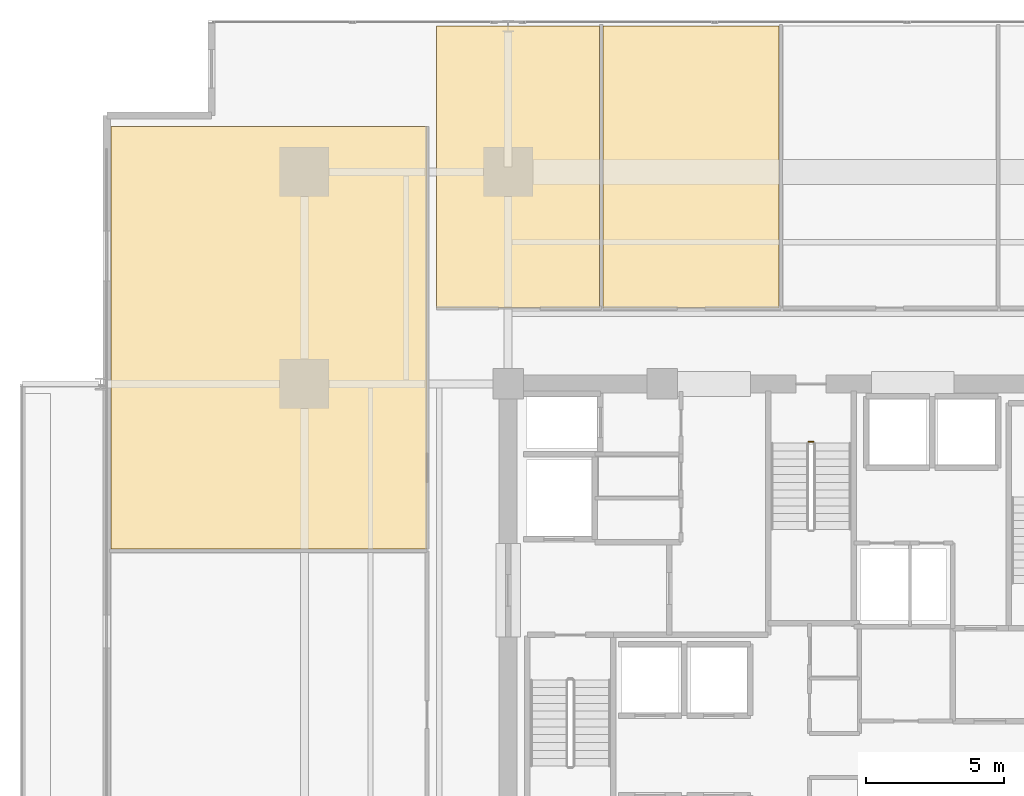
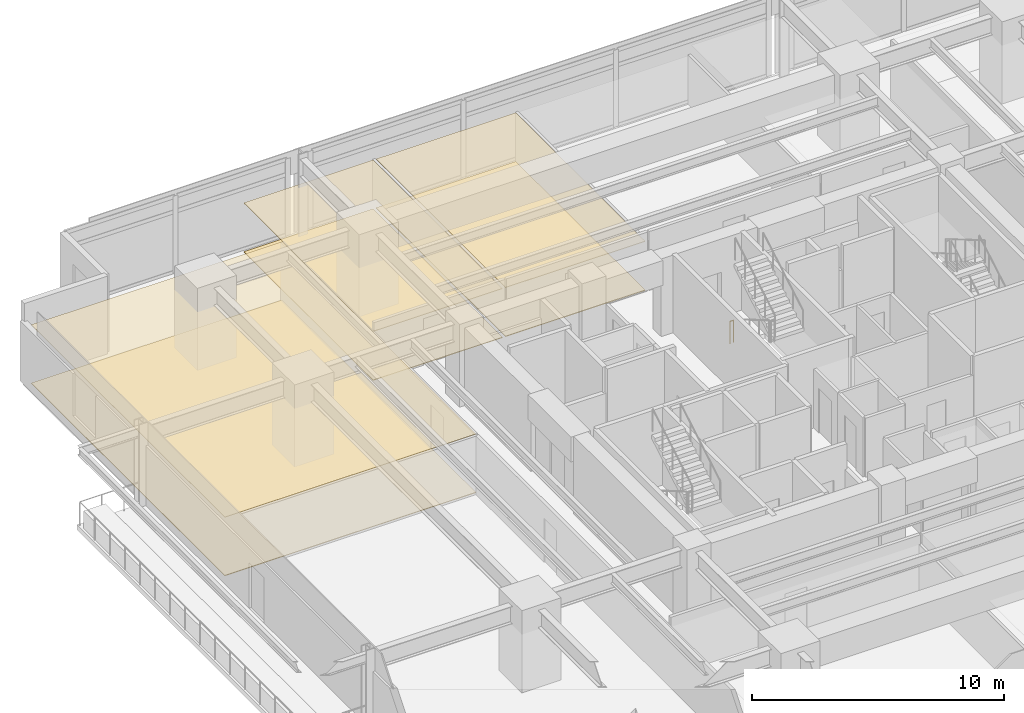
# One storey, part 21 of 22: 6 coverings, 1 railing.
"""IFC4 building model written with IfcOpenShell, lengths in metres."""

from ifc_helpers import new_model, si_unit, direction, frame, origin, origin_2d, place, context, subcontext, project, spatial, polyline, circle, outline, extrude, material, layer, layer_set, type_object, element, save


model = new_model("IFC4")

# Units and contexts
model_context = context("Model", 3, precision=1e-05, world=origin(), true_north=direction((0.0, 1.0)))
body_context = subcontext(model_context, "Body", "Model", "MODEL_VIEW")
ifc_project = project(units=[si_unit("LENGTHUNIT", "METRE"), si_unit("AREAUNIT", "SQUARE_METRE"), si_unit("VOLUMEUNIT", "CUBIC_METRE"), si_unit("PLANEANGLEUNIT", "RADIAN"), si_unit("MASSUNIT", "GRAM", prefix="KILO")], contexts=[model_context])

# Site, building, storey
site_placement = place(None, origin())
site = spatial("IfcSite", under=ifc_project, at=site_placement, CompositionType="ELEMENT")
building_placement = place(site_placement, origin())
building = spatial("IfcBuilding", under=site, at=building_placement, Name="Kovane Verandah Tower", CompositionType="ELEMENT")
storey_placement = place(building_placement, frame((0.0, 0.0, 51.60009765625)))
storey = spatial("IfcBuildingStorey", under=building, at=storey_placement, Name="L11", CompositionType="ELEMENT", Elevation=51.60009765625)

# Coverings
ifc_material_1 = material(Name="Perforated Acoustic Mineral-Fibre Ceiling Tile", Category="gypsum")
ifc_layer_1 = layer(ifc_material_1, 0.02490234375)
ifc_layer_set_1 = layer_set([ifc_layer_1], Name="Perforated Acoustic Mineral-Fibre Ceiling Tile")
covering_type_1 = type_object("IfcCoveringType", Name="CV-CEIL-25", PredefinedType="CEILING", material=ifc_layer_set_1)
covering_1_placement = place(storey_placement, frame((0.0, 0.0, 2.364990234375)))
element("IfcCovering", 1, at=covering_1_placement, inside=storey, type_object=covering_type_1, Name="L11 Client Boardroom N1 Acoustic Ceiling", PredefinedType="CEILING", context=body_context, shape_type="SweptSolid", body=[
    extrude(outline(polyline([(26.39990234375, 39.25), (32.31396484375, 39.25), (32.31396484375, 49.49609375), (26.39990234375, 49.49609375), (26.39990234375, 39.25)])), origin(), (0.0, 0.0, 1.0), 0.02490234375),
])
covering_2_placement = place(storey_placement, frame((0.0, 0.0, 2.364990234375)))
element("IfcCovering", 2, at=covering_2_placement, inside=storey, type_object=covering_type_1, Name="L11 Meeting Room N2 Acoustic Ceiling", PredefinedType="CEILING", context=body_context, shape_type="SweptSolid", body=[
    extrude(outline(polyline([(32.4541015625, 39.25), (38.842041015625, 39.25), (38.842041015625, 49.49609375), (32.4541015625, 49.49609375), (32.4541015625, 39.25)])), origin(), (0.0, 0.0, 1.0), 0.02490234375),
])
covering_3_placement = place(storey_placement, frame((0.0, 0.0, 2.824951171875)))
element("IfcCovering", 3, at=covering_3_placement, inside=storey, type_object=covering_type_1, Name="L11 Executive Office W2 Acoustic Ceiling", PredefinedType="CEILING", context=body_context, shape_type="SweptSolid", body=[
    extrude(outline(polyline([(14.569580078125, 30.50537109375), (26.050048828125, 30.50537109375), (26.050048828125, 45.84619140625), (14.569580078125, 45.84619140625), (14.569580078125, 30.50537109375)])), origin(), (0.0, 0.0, 1.0), 0.02490234375),
])
ifc_material_2 = material(Name="Polished Terrazzo and Raised-Access Carpet Tile Finish", Category="concrete")
ifc_layer_2 = layer(ifc_material_2, 0.030029296875)
ifc_layer_set_2 = layer_set([ifc_layer_2], Name="Polished Terrazzo and Raised-Access Carpet Tile Finish")
covering_type_2 = type_object("IfcCoveringType", Name="CV-FLOR-30", PredefinedType="FLOORING", material=ifc_layer_set_2)
covering_4_placement = place(storey_placement, origin())
element("IfcCovering", 4, at=covering_4_placement, inside=storey, type_object=covering_type_2, Name="L11 Client Boardroom N1 Floor Finish", PredefinedType="FLOORING", context=body_context, shape_type="SweptSolid", body=[
    extrude(outline(polyline([(26.39990234375, 39.25), (32.31396484375, 39.25), (32.31396484375, 49.49609375), (26.39990234375, 49.49609375), (26.39990234375, 39.25)])), origin(), (0.0, 0.0, 1.0), 0.02978515625),
])
covering_5_placement = place(storey_placement, origin())
element("IfcCovering", 5, at=covering_5_placement, inside=storey, type_object=covering_type_2, Name="L11 Meeting Room N2 Floor Finish", PredefinedType="FLOORING", context=body_context, shape_type="SweptSolid", body=[
    extrude(outline(polyline([(32.4541015625, 39.25), (38.842041015625, 39.25), (38.842041015625, 49.49609375), (32.4541015625, 49.49609375), (32.4541015625, 39.25)])), origin(), (0.0, 0.0, 1.0), 0.02978515625),
])
covering_6_placement = place(storey_placement, origin())
element("IfcCovering", 6, at=covering_6_placement, inside=storey, type_object=covering_type_2, Name="L11 Executive Office W2 Floor Finish", PredefinedType="FLOORING", context=body_context, shape_type="SweptSolid", body=[
    extrude(outline(polyline([(14.569580078125, 30.50537109375), (26.050048828125, 30.50537109375), (26.050048828125, 45.84619140625), (14.569580078125, 45.84619140625), (14.569580078125, 30.50537109375)])), origin(), (0.0, 0.0, 1.0), 0.02978515625),
])

# Railing
ifc_material_3 = material(Name="Painted Steel Stairwell Guardrail", Category="steel")
railing_type = type_object("IfcRailingType", Name="RL-STGUARD-1120", PredefinedType="GUARDRAIL", material=ifc_material_3)
railing_placement = place(storey_placement, frame((39.919921875, 34.39990234375, 0.0)))
element("IfcRailing", 7, at=railing_placement, inside=storey, type_object=railing_type, Name="L11 ST-03 stair guard 4", PredefinedType="GUARDRAIL", context=body_context, shape_type="SweptSolid", body=[
    extrude(circle(Radius=0.02392578125, at=origin_2d()), frame((0.0, 0.0, 1.076171875), z_axis=(1.0, 0.0, 0.0), x_axis=(0.0, 1.0, 0.0)), (0.0, 0.0, 1.0), 0.16015625),
    extrude(circle(Radius=0.02099609375, at=origin_2d()), origin(), (0.0, 0.0, 1.0), 1.052001953125),
    extrude(circle(Radius=0.02099609375, at=origin_2d()), frame((0.16015625, 0.0, 0.0)), (0.0, 0.0, 1.0), 1.052001953125),
])

save(model, "model.ifc")
